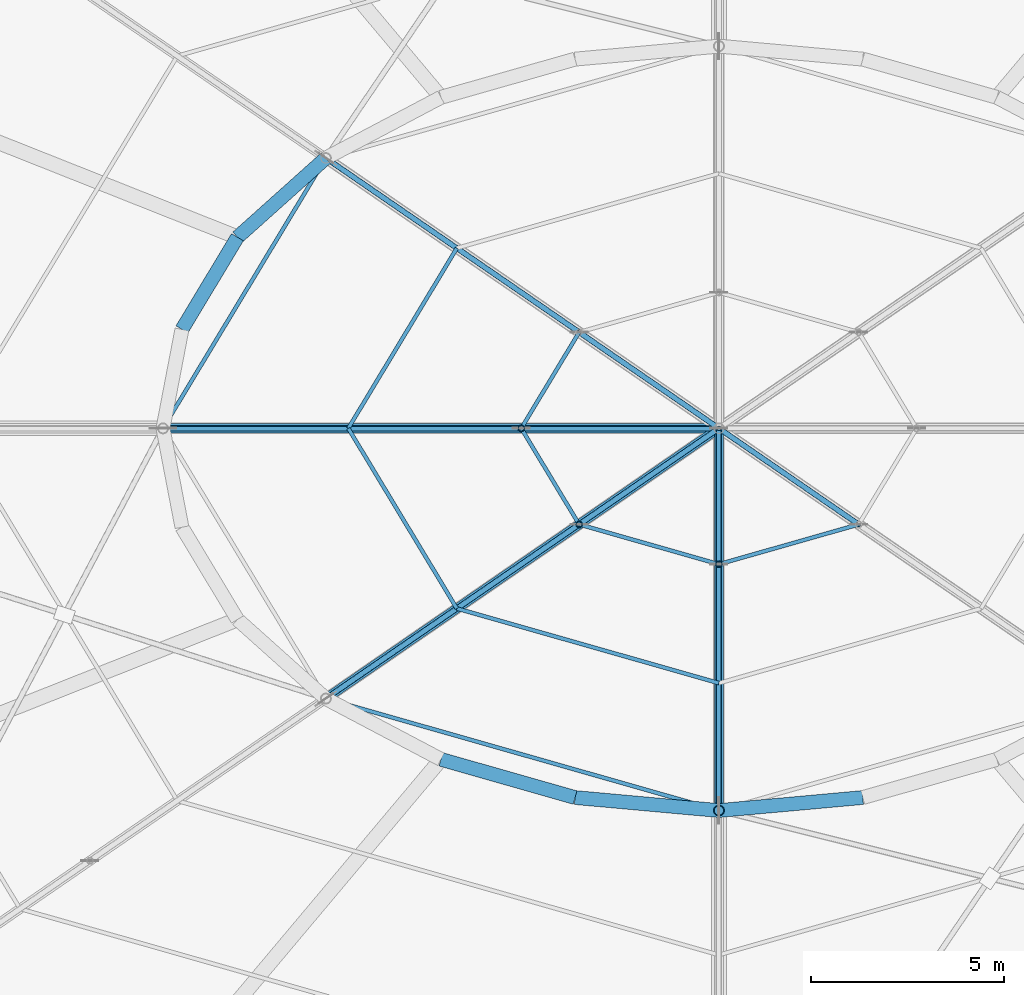
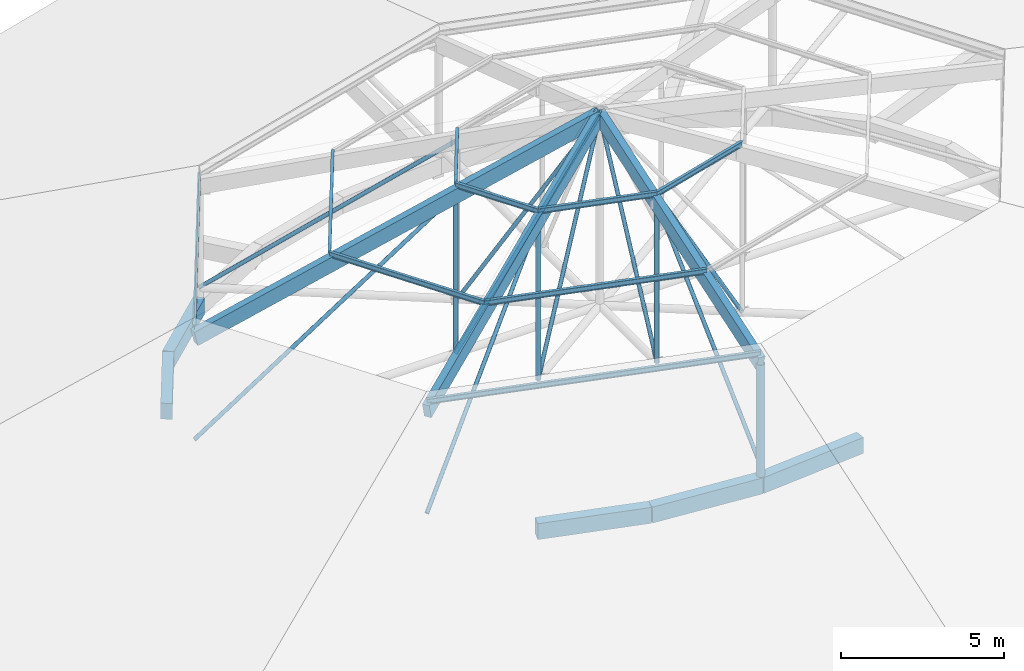
# One storey, part 23 of 66: 25 members, 5 beams.
"""IFC4 building model written with IfcOpenShell, lengths in metres."""

from ifc_helpers import new_model, si_unit, direction, frame, origin, origin_2d, place, context, subcontext, project, spatial, rectangle, hollow_circle, i_section, extrude, material, material_profile, profile_set, type_object, element, save


model = new_model("IFC4")

# Units and contexts
model_context = context("Model", 3, precision=1e-05, world=origin(), true_north=direction((0.0, 1.0)))
body_context = subcontext(model_context, "Body", "Model", "MODEL_VIEW")
ifc_project = project(units=[si_unit("LENGTHUNIT", "METRE"), si_unit("AREAUNIT", "SQUARE_METRE"), si_unit("VOLUMEUNIT", "CUBIC_METRE"), si_unit("PLANEANGLEUNIT", "RADIAN"), si_unit("MASSUNIT", "GRAM", prefix="KILO")], contexts=[model_context])

# Site, building, storey
site_placement = place(None, origin())
site = spatial("IfcSite", under=ifc_project, at=site_placement, CompositionType="ELEMENT")
building_placement = place(site_placement, origin())
building = spatial("IfcBuilding", under=site, at=building_placement, Name="Zornivar Specialist Clinic", CompositionType="ELEMENT")
storey_placement = place(building_placement, frame((0.0, 0.0, 16.0)))
storey = spatial("IfcBuildingStorey", under=building, at=storey_placement, Name="L04", CompositionType="ELEMENT", Elevation=16.0)

# Beams
ifc_material_1 = material(Name="Concrete C30/37", Category="concrete")
ifc_material_profile_1 = material_profile(ifc_material_1, rectangle(XDim=0.360107421875, YDim=0.60009765625, at=origin_2d()), Name="RC 360x600")
ifc_profile_set_1 = profile_set([ifc_material_profile_1], Name="Concrete C30/37")
beam_type = type_object("IfcBeamType", Name="BM-RC-360x600", PredefinedType="BEAM", material=ifc_profile_set_1)
beam_1_placement = place(storey_placement, frame((83.41796875, 64.60009765625, -0.300048828125), z_axis=(-0.744927462836, -0.66714546773, 0.0), x_axis=(0.66714546773, -0.744927462836, 0.0)))
element("IfcBeam", 1, at=beam_1_placement, inside=storey, type_object=beam_type, Name="bm:V1:L04:inring:09", PredefinedType="BEAM", context=body_context, shape_type="SweptSolid", body=[
    extrude(rectangle(XDim=0.360107421875, YDim=0.60009765625, at=origin_2d()), origin(), (0.0, 0.0, 1.0), 3.07275390625),
])
beam_2_placement = place(storey_placement, frame((81.12890625, 62.550048828125, -0.300048828125), z_axis=(-0.515873260277, -0.856664916599, 0.0), x_axis=(0.856664916599, -0.515873260277, 0.0)))
element("IfcBeam", 2, at=beam_2_placement, inside=storey, type_object=beam_type, Name="bm:V1:L04:inring:10", PredefinedType="BEAM", context=body_context, shape_type="SweptSolid", body=[
    extrude(rectangle(XDim=0.360107421875, YDim=0.60009765625, at=origin_2d()), origin(), (0.0, 0.0, 1.0), 2.78759765625),
])
beam_3_placement = place(storey_placement, frame((86.39990234375, 49.02587890625, -0.300048828125), z_axis=(0.961783741221, -0.273810217345, 0.0), x_axis=(0.273810217345, 0.961783741221, 0.0)))
element("IfcBeam", 3, at=beam_3_placement, inside=storey, type_object=beam_type, Name="bm:V1:L04:inring:16", PredefinedType="BEAM", context=body_context, shape_type="SweptSolid", body=[
    extrude(rectangle(XDim=0.360107421875, YDim=0.60009765625, at=origin_2d()), origin(), (0.0, 0.0, 1.0), 3.611083984375),
])
beam_4_placement = place(storey_placement, frame((89.873046875, 48.037109375, -0.300048828125), z_axis=(0.995933214481, -0.090094574165, 0.0), x_axis=(0.090094574165, 0.995933214481, 0.0)))
element("IfcBeam", 4, at=beam_4_placement, inside=storey, type_object=beam_type, Name="bm:V1:L04:inring:17", PredefinedType="BEAM", context=body_context, shape_type="SweptSolid", body=[
    extrude(rectangle(XDim=0.360107421875, YDim=0.60009765625, at=origin_2d()), origin(), (0.0, 0.0, 1.0), 3.7421875),
])
beam_5_placement = place(storey_placement, frame((93.60009765625, 47.699951171875, -0.300048828125), z_axis=(0.995932684885, 0.090100428289, 0.0), x_axis=(-0.090100428289, 0.995932684885, 0.0)))
element("IfcBeam", 5, at=beam_5_placement, inside=storey, type_object=beam_type, Name="bm:V1:L04:inring:18", PredefinedType="BEAM", context=body_context, shape_type="SweptSolid", body=[
    extrude(rectangle(XDim=0.360107421875, YDim=0.60009765625, at=origin_2d()), origin(), (0.0, 0.0, 1.0), 3.741943359375),
])

# Members
ifc_material_2 = material(Name="Steel S355J2", Category="steel")
ifc_material_profile_2 = material_profile(ifc_material_2, hollow_circle(Radius=0.136474609375, WallThickness=0.012451171875, at=origin_2d()), Name="CHS 273x12.5")
ifc_profile_set_2 = profile_set([ifc_material_profile_2], Name="Steel S355J2")
member_type_1 = type_object("IfcMemberType", Name="MEM-CHORD-CHS273", PredefinedType="CHORD", material=ifc_profile_set_2)
member_1_placement = place(storey_placement, frame((93.60009765625, 47.699951171875, -0.080078125), z_axis=(0.0, 0.0, 1.0), x_axis=(1.0, 0.0, 0.0)))
element("IfcMember", 6, at=member_1_placement, inside=storey, type_object=member_type_1, Name="mem:V1:L04:post:in:6", PredefinedType="CHORD", context=body_context, shape_type="SweptSolid", body=[
    extrude(hollow_circle(Radius=0.136474609375, WallThickness=0.012451171875, at=origin_2d()), origin(), (0.0, 0.0, 1.0), 4.2841796875),
])
ifc_material_3 = material(Name="Steel S355J2", Category="steel")
ifc_material_profile_3 = material_profile(ifc_material_3, hollow_circle(Radius=0.06982421875, WallThickness=0.008056640625, at=origin_2d()), Name="CHS 139.7x8")
ifc_profile_set_3 = profile_set([ifc_material_profile_3], Name="Steel S355J2")
member_type_2 = type_object("IfcMemberType", Name="MEM-DIAG-CHS140", PredefinedType="BRACE", material=ifc_profile_set_3)
member_2_placement = place(storey_placement, frame((83.41796875, 64.60009765625, 0.360107421875), z_axis=(0.659468156626, -0.453344487312, 0.59965033663), x_axis=(0.566494991272, 0.824065182412, 0.0)))
element("IfcMember", 7, at=member_2_placement, inside=storey, type_object=member_type_2, Name="mem:V1:L04:diag3:3", PredefinedType="BRACE", context=body_context, shape_type="SweptSolid", body=[
    extrude(hollow_circle(Radius=0.06982421875, WallThickness=0.008056640625, at=origin_2d()), origin(), (0.0, 0.0, 1.0), 9.950439453125),
])
member_3_placement = place(storey_placement, frame((89.97998046875, 60.089111328125, 0.360107421875), z_axis=(0.431871421111, -0.296933446063, 0.851655801505), x_axis=(0.566557124503, 0.824022466123, 0.0)))
element("IfcMember", 8, at=member_3_placement, inside=storey, type_object=member_type_2, Name="mem:V1:L04:diag4:3", PredefinedType="BRACE", context=body_context, shape_type="SweptSolid", body=[
    extrude(hollow_circle(Radius=0.06982421875, WallThickness=0.008056640625, at=origin_2d()), origin(), (0.0, 0.0, 1.0), 8.38232421875),
])
member_4_placement = place(storey_placement, frame((79.199951171875, 57.60009765625, 0.360107421875), z_axis=(0.841134614614, 0.0, 0.540825813085), x_axis=(0.0, 1.0, 0.0)))
element("IfcMember", 9, at=member_4_placement, inside=storey, type_object=member_type_2, Name="mem:V1:L04:diag3:4", PredefinedType="BRACE", context=body_context, shape_type="SweptSolid", body=[
    extrude(hollow_circle(Radius=0.06982421875, WallThickness=0.008056640625, at=origin_2d()), origin(), (0.0, 0.0, 1.0), 11.03271484375),
])
member_5_placement = place(storey_placement, frame((88.47998046875, 57.60009765625, 0.360107421875), z_axis=(0.582811746608, 0.0, 0.812607204014), x_axis=(0.0, 1.0, 0.0)))
element("IfcMember", 10, at=member_5_placement, inside=storey, type_object=member_type_2, Name="mem:V1:L04:diag4:4", PredefinedType="BRACE", context=body_context, shape_type="SweptSolid", body=[
    extrude(hollow_circle(Radius=0.06982421875, WallThickness=0.008056640625, at=origin_2d()), origin(), (0.0, 0.0, 1.0), 8.78515625),
])
member_6_placement = place(storey_placement, frame((83.41796875, 50.60009765625, 0.360107421875), z_axis=(0.659468156626, 0.453344487312, 0.59965033663), x_axis=(-0.566494991272, 0.824065182412, 0.0)))
element("IfcMember", 11, at=member_6_placement, inside=storey, type_object=member_type_2, Name="mem:V1:L04:diag3:5", PredefinedType="BRACE", context=body_context, shape_type="SweptSolid", body=[
    extrude(hollow_circle(Radius=0.06982421875, WallThickness=0.008056640625, at=origin_2d()), origin(), (0.0, 0.0, 1.0), 9.950439453125),
])
member_7_placement = place(storey_placement, frame((89.97998046875, 55.111083984375, 0.360107421875), z_axis=(0.431871421111, 0.296933446063, 0.851655801505), x_axis=(-0.566557124503, 0.824022466123, 0.0)))
element("IfcMember", 12, at=member_7_placement, inside=storey, type_object=member_type_2, Name="mem:V1:L04:diag4:5", PredefinedType="BRACE", context=body_context, shape_type="SweptSolid", body=[
    extrude(hollow_circle(Radius=0.06982421875, WallThickness=0.008056640625, at=origin_2d()), origin(), (0.0, 0.0, 1.0), 8.38232421875),
])
member_8_placement = place(storey_placement, frame((93.60009765625, 47.699951171875, 0.360107421875), z_axis=(0.0, 0.730369007458, 0.683052789281), x_axis=(-1.0, 0.0, 0.0)))
element("IfcMember", 13, at=member_8_placement, inside=storey, type_object=member_type_2, Name="mem:V1:L04:diag3:6", PredefinedType="BRACE", context=body_context, shape_type="SweptSolid", body=[
    extrude(hollow_circle(Radius=0.06982421875, WallThickness=0.008056640625, at=origin_2d()), origin(), (0.0, 0.0, 1.0), 8.735595703125),
])
member_9_placement = place(storey_placement, frame((93.60009765625, 54.080078125, 0.360107421875), z_axis=(0.0, 0.442237730946, 0.896897870065), x_axis=(-1.0, 0.0, 0.0)))
element("IfcMember", 14, at=member_9_placement, inside=storey, type_object=member_type_2, Name="mem:V1:L04:diag4:6", PredefinedType="BRACE", context=body_context, shape_type="SweptSolid", body=[
    extrude(hollow_circle(Radius=0.06982421875, WallThickness=0.008056640625, at=origin_2d()), origin(), (0.0, 0.0, 1.0), 7.95947265625),
])
member_10_placement = place(storey_placement, frame((97.219970703125, 55.111083984375, 0.360107421875), z_axis=(-0.431847727528, 0.296937180964, 0.851666513836), x_axis=(-0.566583069547, -0.824004626991, 0.0)))
element("IfcMember", 15, at=member_10_placement, inside=storey, type_object=member_type_2, Name="mem:V1:L04:diag4:7", PredefinedType="BRACE", context=body_context, shape_type="SweptSolid", body=[
    extrude(hollow_circle(Radius=0.06982421875, WallThickness=0.008056640625, at=origin_2d()), origin(), (0.0, 0.0, 1.0), 8.38232421875),
])
ifc_material_4 = material(Name="Steel S355J2", Category="steel")
ifc_material_profile_4 = material_profile(ifc_material_4, i_section(OverallWidth=0.10009765625, OverallDepth=0.199951171875, WebThickness=0.005615234375, FlangeThickness=0.008544921875, FilletRadius=0.011962890625, at=origin_2d()), Name="IPE 200")
ifc_profile_set_4 = profile_set([ifc_material_profile_4], Name="Steel S355J2")
member_type_3 = type_object("IfcMemberType", Name="MEM-PURLIN-IPE200", PredefinedType="PURLIN", material=ifc_profile_set_4)
member_11_placement = place(storey_placement, frame((83.41796875, 64.60009765625, 4.569091796875), z_axis=(-0.516115885834, -0.856518763595, 0.0), x_axis=(0.856518763595, -0.516115885834, 0.0)))
element("IfcMember", 16, at=member_11_placement, inside=storey, type_object=member_type_3, Name="mem:V1:L04:purl:3:04", PredefinedType="PURLIN", context=body_context, shape_type="SweptSolid", body=[
    extrude(i_section(OverallWidth=0.10009765625, OverallDepth=0.199951171875, WebThickness=0.005615234375, FlangeThickness=0.008544921875, FilletRadius=0.011962890625, at=origin_2d()), origin(), (0.0, 0.0, 1.0), 8.172607421875),
])
member_12_placement = place(storey_placement, frame((86.81201171875, 62.26708984375, 5.6669921875), z_axis=(-0.516089475444, -0.856534677252, 0.0), x_axis=(0.856534677252, -0.516089475444, 0.0)))
element("IfcMember", 17, at=member_12_placement, inside=storey, type_object=member_type_3, Name="mem:V1:L04:purl:3:05", PredefinedType="PURLIN", context=body_context, shape_type="SweptSolid", body=[
    extrude(i_section(OverallWidth=0.10009765625, OverallDepth=0.199951171875, WebThickness=0.005615234375, FlangeThickness=0.008544921875, FilletRadius=0.011962890625, at=origin_2d()), origin(), (0.0, 0.0, 1.0), 5.44873046875),
])
member_13_placement = place(storey_placement, frame((89.97998046875, 60.089111328125, 6.69189453125), z_axis=(-0.516162644612, -0.856490586234, 0.0), x_axis=(0.856490586234, -0.516162644612, 0.0)))
element("IfcMember", 18, at=member_13_placement, inside=storey, type_object=member_type_3, Name="mem:V1:L04:purl:3:06", PredefinedType="PURLIN", context=body_context, shape_type="SweptSolid", body=[
    extrude(i_section(OverallWidth=0.10009765625, OverallDepth=0.199951171875, WebThickness=0.005615234375, FlangeThickness=0.008544921875, FilletRadius=0.011962890625, at=origin_2d()), origin(), (0.0, 0.0, 1.0), 2.906005859375),
])
member_14_placement = place(storey_placement, frame((84.0, 57.60009765625, 5.6669921875), z_axis=(0.516089475444, -0.856534677252, 0.0), x_axis=(0.856534677252, 0.516089475444, 0.0)))
element("IfcMember", 19, at=member_14_placement, inside=storey, type_object=member_type_3, Name="mem:V1:L04:purl:4:05", PredefinedType="PURLIN", context=body_context, shape_type="SweptSolid", body=[
    extrude(i_section(OverallWidth=0.10009765625, OverallDepth=0.199951171875, WebThickness=0.005615234375, FlangeThickness=0.008544921875, FilletRadius=0.011962890625, at=origin_2d()), origin(), (0.0, 0.0, 1.0), 5.44873046875),
])
member_15_placement = place(storey_placement, frame((88.47998046875, 57.60009765625, 6.69189453125), z_axis=(0.516162644612, -0.856490586234, 0.0), x_axis=(0.856490586234, 0.516162644612, 0.0)))
element("IfcMember", 20, at=member_15_placement, inside=storey, type_object=member_type_3, Name="mem:V1:L04:purl:4:06", PredefinedType="PURLIN", context=body_context, shape_type="SweptSolid", body=[
    extrude(i_section(OverallWidth=0.10009765625, OverallDepth=0.199951171875, WebThickness=0.005615234375, FlangeThickness=0.008544921875, FilletRadius=0.011962890625, at=origin_2d()), origin(), (0.0, 0.0, 1.0), 2.906005859375),
])
member_16_placement = place(storey_placement, frame((83.41796875, 50.60009765625, 4.569091796875), z_axis=(0.961749004956, -0.273932202318, 0.0), x_axis=(0.273932202318, 0.961749004956, 0.0)))
element("IfcMember", 21, at=member_16_placement, inside=storey, type_object=member_type_3, Name="mem:V1:L04:purl:5:04", PredefinedType="PURLIN", context=body_context, shape_type="SweptSolid", body=[
    extrude(i_section(OverallWidth=0.10009765625, OverallDepth=0.199951171875, WebThickness=0.005615234375, FlangeThickness=0.008544921875, FilletRadius=0.011962890625, at=origin_2d()), origin(), (0.0, 0.0, 1.0), 10.587158203125),
])
member_17_placement = place(storey_placement, frame((86.81201171875, 52.93310546875, 5.6669921875), z_axis=(0.961761154772, -0.273889541918, 0.0), x_axis=(0.273889541918, 0.961761154772, 0.0)))
element("IfcMember", 22, at=member_17_placement, inside=storey, type_object=member_type_3, Name="mem:V1:L04:purl:5:05", PredefinedType="PURLIN", context=body_context, shape_type="SweptSolid", body=[
    extrude(i_section(OverallWidth=0.10009765625, OverallDepth=0.199951171875, WebThickness=0.005615234375, FlangeThickness=0.008544921875, FilletRadius=0.011962890625, at=origin_2d()), origin(), (0.0, 0.0, 1.0), 7.057861328125),
])
member_18_placement = place(storey_placement, frame((89.97998046875, 55.111083984375, 6.69189453125), z_axis=(0.961756123131, -0.273907209872, 0.0), x_axis=(0.273907209872, 0.961756123131, 0.0)))
element("IfcMember", 23, at=member_18_placement, inside=storey, type_object=member_type_3, Name="mem:V1:L04:purl:5:06", PredefinedType="PURLIN", context=body_context, shape_type="SweptSolid", body=[
    extrude(i_section(OverallWidth=0.10009765625, OverallDepth=0.199951171875, WebThickness=0.005615234375, FlangeThickness=0.008544921875, FilletRadius=0.011962890625, at=origin_2d()), origin(), (0.0, 0.0, 1.0), 3.76416015625),
])
member_19_placement = place(storey_placement, frame((93.60009765625, 54.080078125, 6.69189453125), z_axis=(0.961751256483, 0.273924297304, 0.0), x_axis=(-0.273924297304, 0.961751256483, 0.0)))
element("IfcMember", 24, at=member_19_placement, inside=storey, type_object=member_type_3, Name="mem:V1:L04:purl:6:06", PredefinedType="PURLIN", context=body_context, shape_type="SweptSolid", body=[
    extrude(i_section(OverallWidth=0.10009765625, OverallDepth=0.199951171875, WebThickness=0.005615234375, FlangeThickness=0.008544921875, FilletRadius=0.011962890625, at=origin_2d()), origin(), (0.0, 0.0, 1.0), 3.763916015625),
])
ifc_material_5 = material(Name="Glulam GL28h", Category="wood")
ifc_material_profile_5 = material_profile(ifc_material_5, rectangle(XDim=0.239990234375, YDim=0.56005859375, at=origin_2d()), Name="GL28h 240x560")
ifc_profile_set_5 = profile_set([ifc_material_profile_5], Name="Glulam GL28h")
member_type_4 = type_object("IfcMemberType", Name="MEM-RAFTER-GL560", PredefinedType="RAFTER", material=ifc_profile_set_5)
member_20_placement = place(storey_placement, frame((79.199951171875, 57.60009765625, 4.2041015625), z_axis=(0.974807605415, 0.0, 0.223047377086), x_axis=(0.0, 1.0, 0.0)))
element("IfcMember", 25, at=member_20_placement, inside=storey, type_object=member_type_4, Name="mem:V1:L04:raf2:4", PredefinedType="RAFTER", context=body_context, shape_type="SweptSolid", body=[
    extrude(rectangle(XDim=0.239990234375, YDim=0.56005859375, at=origin_2d()), origin(), (0.0, 0.0, 1.0), 14.772216796875),
])
member_21_placement = place(storey_placement, frame((83.41796875, 50.60009765625, 4.2041015625), z_axis=(0.796226949056, 0.547389322479, 0.257657864683), x_axis=(-0.566517083003, 0.824049995247, 0.0)))
element("IfcMember", 26, at=member_21_placement, inside=storey, type_object=member_type_4, Name="mem:V1:L04:raf2:5", PredefinedType="RAFTER", context=body_context, shape_type="SweptSolid", body=[
    extrude(rectangle(XDim=0.239990234375, YDim=0.56005859375, at=origin_2d()), origin(), (0.0, 0.0, 1.0), 12.7880859375),
])
member_22_placement = place(storey_placement, frame((93.60009765625, 47.699951171875, 4.2041015625), z_axis=(0.0, 0.948830605221, 0.315785500926), x_axis=(-1.0, 0.0, 0.0)))
element("IfcMember", 27, at=member_22_placement, inside=storey, type_object=member_type_4, Name="mem:V1:L04:raf2:6", PredefinedType="RAFTER", context=body_context, shape_type="SweptSolid", body=[
    extrude(rectangle(XDim=0.239990234375, YDim=0.56005859375, at=origin_2d()), origin(), (0.0, 0.0, 1.0), 10.43408203125),
])
ifc_material_6 = material(Name="Steel S355J2", Category="steel")
ifc_material_profile_6 = material_profile(ifc_material_6, hollow_circle(Radius=0.084228515625, WallThickness=0.010009765625, at=origin_2d()), Name="CHS 168.3x10")
ifc_profile_set_6 = profile_set([ifc_material_profile_6], Name="Steel S355J2")
member_type_5 = type_object("IfcMemberType", Name="MEM-STRUT-CHS168", PredefinedType="STRUT", material=ifc_profile_set_6)
for number, where, z_axis, x_axis, name in (
    (28, (88.47998046875, 57.60009765625, 0.360107421875), (0.0, 0.0, 1.0), (1.0, 0.0, 0.0), "mem:V1:L04:vert2:4"),
    (29, (89.97998046875, 55.111083984375, 0.360107421875), (0.0, 0.0, 1.0), (1.0, 0.0, 0.0), "mem:V1:L04:vert2:5"),
    (30, (93.60009765625, 54.080078125, 0.360107421875), (0.0, 0.0, 1.0), (1.0, 0.0, 0.0), "mem:V1:L04:vert2:6"),
):
    element("IfcMember", number, at=place(storey_placement, frame(where, z_axis=z_axis, x_axis=x_axis)), inside=storey, type_object=member_type_5, Name=name, PredefinedType="STRUT", context=body_context, shape_type="SweptSolid", body=[
        extrude(hollow_circle(Radius=0.084228515625, WallThickness=0.010009765625, at=origin_2d()), origin(), (0.0, 0.0, 1.0), 5.966796875),
    ])

save(model, "model.ifc")
